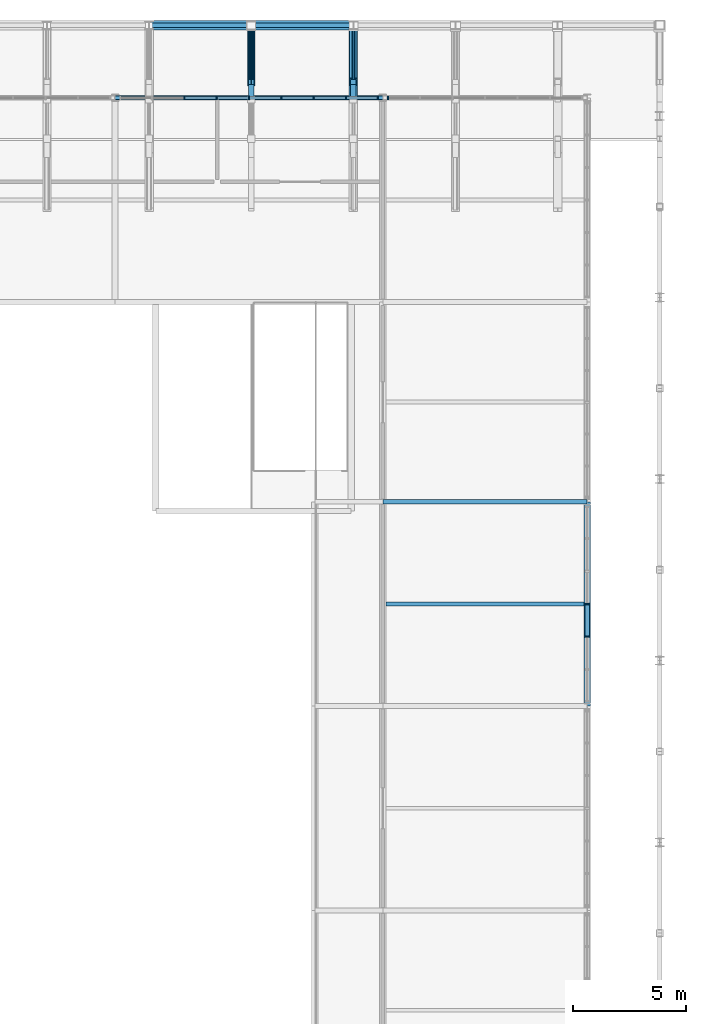
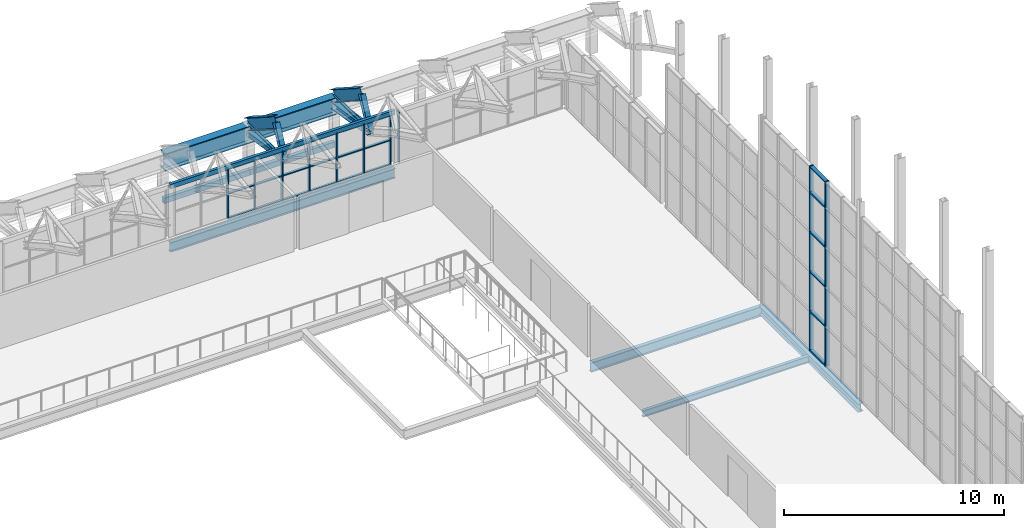
# One storey, part 86 of 134: 40 members, 11 beams, 3 elements without a shape of their own.
"""IFC4 building model written with IfcOpenShell, lengths in metres."""

from ifc_helpers import new_model, si_unit, direction, frame, origin, origin_2d, place, context, subcontext, project, spatial, rectangle, hollow_rectangle, hollow_circle, i_section, extrude, material, layer, layer_set, material_profile, profile_set, type_object, element, aggregate, save


model = new_model("IFC4")

# Units and contexts
model_context = context("Model", 3, precision=1e-05, world=origin(), true_north=direction((0.0, 1.0)))
body_context = subcontext(model_context, "Body", "Model", "MODEL_VIEW")
ifc_project = project(units=[si_unit("LENGTHUNIT", "METRE"), si_unit("AREAUNIT", "SQUARE_METRE"), si_unit("VOLUMEUNIT", "CUBIC_METRE"), si_unit("PLANEANGLEUNIT", "RADIAN"), si_unit("MASSUNIT", "GRAM", prefix="KILO")], contexts=[model_context])

# Site, building, storey
site_placement = place(None, origin())
site = spatial("IfcSite", under=ifc_project, at=site_placement, CompositionType="ELEMENT")
building_placement = place(site_placement, origin())
building = spatial("IfcBuilding", under=site, at=building_placement, Name="Cazmaro Siding Exhibition Halls", CompositionType="ELEMENT")
storey_placement = place(building_placement, frame((0.0, 0.0, 12.0)))
storey = spatial("IfcBuildingStorey", under=building, at=storey_placement, Name="L02", CompositionType="ELEMENT", Elevation=12.0)

# Beams
ifc_material_1 = material(Name="Steel ASTM A992 Grade 50", Category="steel")
ifc_material_profile_1 = material_profile(ifc_material_1, i_section(OverallWidth=0.327880859375, OverallDepth=0.626953125, WebThickness=0.01708984375, FlangeThickness=0.028076171875, at=origin_2d()), Name="W24X146")
ifc_profile_set_1 = profile_set([ifc_material_profile_1], Name="Steel ASTM A992 Grade 50")
beam_type_1 = type_object("IfcBeamType", Name="AR-01", PredefinedType="USERDEFINED", material=ifc_profile_set_1)
beam_1_placement = place(storey_placement, frame((153.0, 121.5, 3.89306640625), z_axis=(0.0, 0.843339173298, -0.537381650954), x_axis=(-1.0, 0.0, 0.0)))
element("IfcBeam", 1, at=beam_1_placement, inside=storey, type_object=beam_type_1, Name="Space frame barrel vault arched rib AR-01 BM-1134", ObjectType="ARCHED RIB", PredefinedType="USERDEFINED", context=body_context, shape_type="SweptSolid", body=[
    extrude(i_section(OverallWidth=0.327880859375, OverallDepth=0.626953125, WebThickness=0.01708984375, FlangeThickness=0.028076171875, at=origin_2d()), origin(), (0.0, 0.0, 1.0), 2.96435546875),
])
ifc_material_2 = material(Name="Steel ASTM A992 Grade 50", Category="steel")
ifc_material_profile_2 = material_profile(ifc_material_2, i_section(OverallWidth=0.324951171875, OverallDepth=0.612060546875, WebThickness=0.012939453125, FlangeThickness=0.01904296875, at=origin_2d()), Name="W24X104")
ifc_profile_set_2 = profile_set([ifc_material_profile_2], Name="Steel ASTM A992 Grade 50")
beam_type_2 = type_object("IfcBeamType", Name="AR-02", PredefinedType="USERDEFINED", material=ifc_profile_set_2)
beam_2_placement = place(storey_placement, frame((157.5, 121.5, 3.89306640625), z_axis=(0.0, 0.843339173298, -0.537381650954), x_axis=(-1.0, 0.0, 0.0)))
element("IfcBeam", 2, at=beam_2_placement, inside=storey, type_object=beam_type_2, Name="Space frame barrel vault arched rib AR-02 BM-1158", ObjectType="ARCHED RIB", PredefinedType="USERDEFINED", context=body_context, shape_type="SweptSolid", body=[
    extrude(i_section(OverallWidth=0.324951171875, OverallDepth=0.612060546875, WebThickness=0.012939453125, FlangeThickness=0.01904296875, at=origin_2d()), origin(), (0.0, 0.0, 1.0), 2.96435546875),
])
ifc_material_3 = material(Name="Steel ASTM A992 Grade 50", Category="steel")
ifc_material_profile_3 = material_profile(ifc_material_3, i_section(OverallWidth=0.2099609375, OverallDepth=0.535888671875, WebThickness=0.010986328125, FlangeThickness=0.01708984375, at=origin_2d()), Name="W21X68")
ifc_profile_set_3 = profile_set([ifc_material_profile_3], Name="Steel ASTM A992 Grade 50")
beam_type_3 = type_object("IfcBeamType", Name="B-02", PredefinedType="BEAM", material=ifc_profile_set_3)
beam_3_placement = place(storey_placement, frame((147.0, 120.800048828125, -0.488037109375), z_axis=(1.0, 0.0, 0.0), x_axis=(0.0, 1.0, 0.0)))
element("IfcBeam", 3, at=beam_3_placement, inside=storey, type_object=beam_type_3, Name="Beam B-02 BM-0432", PredefinedType="BEAM", context=body_context, shape_type="SweptSolid", body=[
    extrude(i_section(OverallWidth=0.2099609375, OverallDepth=0.535888671875, WebThickness=0.010986328125, FlangeThickness=0.01708984375, at=origin_2d()), origin(), (0.0, 0.0, 1.0), 11.800048828125),
])
beam_4_placement = place(storey_placement, frame((158.800048828125, 103.0, -0.488037109375), z_axis=(1.0, 0.0, 0.0), x_axis=(0.0, 1.0, 0.0)))
element("IfcBeam", 4, at=beam_4_placement, inside=storey, type_object=beam_type_3, Name="Beam B-02 BM-0522", PredefinedType="BEAM", context=body_context, shape_type="SweptSolid", body=[
    extrude(i_section(OverallWidth=0.2099609375, OverallDepth=0.535888671875, WebThickness=0.010986328125, FlangeThickness=0.01708984375, at=origin_2d()), origin(), (0.0, 0.0, 1.0), 9.0),
])
ifc_material_4 = material(Name="Steel ASTM A992 Grade 50", Category="steel")
ifc_material_profile_4 = material_profile(ifc_material_4, i_section(OverallWidth=0.279052734375, OverallDepth=0.4619140625, WebThickness=0.010986328125, FlangeThickness=0.01708984375, at=origin_2d()), Name="W18X76")
ifc_profile_set_4 = profile_set([ifc_material_profile_4], Name="Steel ASTM A992 Grade 50")
beam_type_4 = type_object("IfcBeamType", Name="B-03", PredefinedType="BEAM", material=ifc_profile_set_4)
beam_5_placement = place(storey_placement, frame((167.800048828125, 94.0, -0.450927734375), z_axis=(0.0, 1.0, 0.0), x_axis=(-1.0, 0.0, 0.0)))
element("IfcBeam", 5, at=beam_5_placement, inside=storey, type_object=beam_type_4, Name="Beam B-03 BM-0527", PredefinedType="BEAM", context=body_context, shape_type="SweptSolid", body=[
    extrude(i_section(OverallWidth=0.279052734375, OverallDepth=0.4619140625, WebThickness=0.010986328125, FlangeThickness=0.01708984375, at=origin_2d()), origin(), (0.0, 0.0, 1.0), 9.0),
])

# Curtain wall, members
ifc_material_5 = material(Name="Anodized Bronze Aluminum and Solar-Control Low-E Glazing", Category="aluminium")
ifc_layer_1 = layer(ifc_material_5, 0.219970703125)
ifc_layer_set_1 = layer_set([ifc_layer_1], Name="Anodized Bronze Aluminum and Solar-Control Low-E Glazing")
curtain_wall_type_1 = type_object("IfcCurtainWallType", Name="CWS-03", PredefinedType="USERDEFINED", material=ifc_layer_set_1)
curtain_wall_1_placement = place(storey_placement, origin())
curtain_wall_1 = element("IfcCurtainWall", 6, at=curtain_wall_1_placement, inside=storey, type_object=curtain_wall_type_1, Name="Glazed Curtain Wall CWS-03 CW-073", ObjectType="GLAZED CURTAIN WALL", PredefinedType="USERDEFINED")
ifc_material_6 = material(Name="Anodized Bronze Extruded Aluminum", Category="aluminium")
ifc_material_profile_5 = material_profile(ifc_material_6, rectangle(XDim=0.219970703125, YDim=0.070068359375, at=origin_2d()), Name="CWM-03")
ifc_profile_set_5 = profile_set([ifc_material_profile_5], Name="Anodized Bronze Extruded Aluminum")
member_type_1 = type_object("IfcMemberType", Name="CWM-03", PredefinedType="MULLION", material=ifc_profile_set_5)
member_1_placement = place(storey_placement, frame((167.800048828125, 97.05908203125, 0.0), z_axis=(0.0, 0.0, 1.0), x_axis=(-1.0, 0.0, 0.0)))
member_1 = element("IfcMember", 7, at=member_1_placement, type_object=member_type_1, Name="CWS-03 mullion 3", PredefinedType="MULLION", context=body_context, shape_type="SweptSolid", body=[
    extrude(rectangle(XDim=0.219970703125, YDim=0.070068359375, at=origin_2d()), origin(), (0.0, 0.0, 1.0), 10.258056640625),
])
member_2_placement = place(storey_placement, frame((167.800048828125, 98.5, 0.0), z_axis=(0.0, 0.0, 1.0), x_axis=(-1.0, 0.0, 0.0)))
member_2 = element("IfcMember", 8, at=member_2_placement, type_object=member_type_1, Name="CWS-03 mullion 4", PredefinedType="MULLION", context=body_context, shape_type="SweptSolid", body=[
    extrude(rectangle(XDim=0.219970703125, YDim=0.070068359375, at=origin_2d()), origin(), (0.0, 0.0, 1.0), 10.258056640625),
])

ifc_material_7 = material(Name="Anodized Bronze Aluminum and Solar-Control Low-E Glazing", Category="aluminium")
ifc_layer_2 = layer(ifc_material_7, 0.159912109375)
ifc_layer_set_2 = layer_set([ifc_layer_2], Name="Anodized Bronze Aluminum and Solar-Control Low-E Glazing")
curtain_wall_type_2 = type_object("IfcCurtainWallType", Name="CWS-04", PredefinedType="USERDEFINED", material=ifc_layer_set_2)
curtain_wall_2_placement = place(storey_placement, origin())
curtain_wall_2 = element("IfcCurtainWall", 9, at=curtain_wall_2_placement, inside=storey, type_object=curtain_wall_type_2, Name="Clerestory Curtain Wall CWS-04 CW-047", ObjectType="CLERESTORY CURTAIN WALL", PredefinedType="USERDEFINED")
ifc_material_8 = material(Name="Anodized Bronze Extruded Aluminum", Category="aluminium")
ifc_material_profile_6 = material_profile(ifc_material_8, rectangle(XDim=0.159912109375, YDim=0.06005859375, at=origin_2d()), Name="CWM-04")
ifc_profile_set_6 = profile_set([ifc_material_profile_6], Name="Anodized Bronze Extruded Aluminum")
member_type_2 = type_object("IfcMemberType", Name="CWM-04", PredefinedType="MULLION", material=ifc_profile_set_6)
member_3_placement = place(storey_placement, frame((158.572998046875, 120.800048828125, 0.0), z_axis=(0.0, 0.0, 1.0), x_axis=(0.0, -1.0, 0.0)))
member_3 = element("IfcMember", 10, at=member_3_placement, type_object=member_type_2, Name="CWS-04 mullion 1", PredefinedType="MULLION", context=body_context, shape_type="SweptSolid", body=[
    extrude(rectangle(XDim=0.159912109375, YDim=0.06005859375, at=origin_2d()), origin(), (0.0, 0.0, 1.0), 2.800048828125),
])
member_4_placement = place(storey_placement, frame((157.17724609375, 120.800048828125, 0.0), z_axis=(0.0, 0.0, 1.0), x_axis=(0.0, -1.0, 0.0)))
member_4 = element("IfcMember", 11, at=member_4_placement, type_object=member_type_2, Name="CWS-04 mullion 2", PredefinedType="MULLION", context=body_context, shape_type="SweptSolid", body=[
    extrude(rectangle(XDim=0.159912109375, YDim=0.06005859375, at=origin_2d()), origin(), (0.0, 0.0, 1.0), 2.800048828125),
])
member_5_placement = place(storey_placement, frame((155.75146484375, 120.800048828125, 0.0), z_axis=(0.0, 0.0, 1.0), x_axis=(0.0, -1.0, 0.0)))
member_5 = element("IfcMember", 12, at=member_5_placement, type_object=member_type_2, Name="CWS-04 mullion 3", PredefinedType="MULLION", context=body_context, shape_type="SweptSolid", body=[
    extrude(rectangle(XDim=0.159912109375, YDim=0.06005859375, at=origin_2d()), origin(), (0.0, 0.0, 1.0), 2.800048828125),
])
member_6_placement = place(storey_placement, frame((154.32568359375, 120.800048828125, 0.0), z_axis=(0.0, 0.0, 1.0), x_axis=(0.0, -1.0, 0.0)))
member_6 = element("IfcMember", 13, at=member_6_placement, type_object=member_type_2, Name="CWS-04 mullion 4", PredefinedType="MULLION", context=body_context, shape_type="SweptSolid", body=[
    extrude(rectangle(XDim=0.159912109375, YDim=0.06005859375, at=origin_2d()), origin(), (0.0, 0.0, 1.0), 2.800048828125),
])
member_7_placement = place(storey_placement, frame((152.89990234375, 120.800048828125, 0.0), z_axis=(0.0, 0.0, 1.0), x_axis=(0.0, -1.0, 0.0)))
member_7 = element("IfcMember", 14, at=member_7_placement, type_object=member_type_2, Name="CWS-04 mullion 5", PredefinedType="MULLION", context=body_context, shape_type="SweptSolid", body=[
    extrude(rectangle(XDim=0.159912109375, YDim=0.06005859375, at=origin_2d()), origin(), (0.0, 0.0, 1.0), 2.800048828125),
])
member_8_placement = place(storey_placement, frame((151.474365234375, 120.800048828125, 0.0), z_axis=(0.0, 0.0, 1.0), x_axis=(0.0, -1.0, 0.0)))
member_8 = element("IfcMember", 15, at=member_8_placement, type_object=member_type_2, Name="CWS-04 mullion 6", PredefinedType="MULLION", context=body_context, shape_type="SweptSolid", body=[
    extrude(rectangle(XDim=0.159912109375, YDim=0.06005859375, at=origin_2d()), origin(), (0.0, 0.0, 1.0), 2.800048828125),
])
member_9_placement = place(storey_placement, frame((150.048583984375, 120.800048828125, 0.0), z_axis=(0.0, 0.0, 1.0), x_axis=(0.0, -1.0, 0.0)))
member_9 = element("IfcMember", 16, at=member_9_placement, type_object=member_type_2, Name="CWS-04 mullion 7", PredefinedType="MULLION", context=body_context, shape_type="SweptSolid", body=[
    extrude(rectangle(XDim=0.159912109375, YDim=0.06005859375, at=origin_2d()), origin(), (0.0, 0.0, 1.0), 2.800048828125),
])

# Curtain wall, member
curtain_wall_3_placement = place(storey_placement, origin())
curtain_wall_3 = element("IfcCurtainWall", 17, at=curtain_wall_3_placement, inside=storey, type_object=curtain_wall_type_2, Name="Clerestory Curtain Wall CWS-04 CW-049", ObjectType="CLERESTORY CURTAIN WALL", PredefinedType="USERDEFINED")
member_10_placement = place(storey_placement, frame((159.027099609375, 120.800048828125, 0.0), z_axis=(0.0, 0.0, 1.0), x_axis=(0.0, -1.0, 0.0)))
member_10 = element("IfcMember", 18, at=member_10_placement, type_object=member_type_2, Name="CWS-04 mullion 7", PredefinedType="MULLION", context=body_context, shape_type="SweptSolid", body=[
    extrude(rectangle(XDim=0.159912109375, YDim=0.06005859375, at=origin_2d()), origin(), (0.0, 0.0, 1.0), 2.800048828125),
])
aggregate(curtain_wall_3, [member_10])

# Member
ifc_material_9 = material(Name="Anodized Bronze Extruded Aluminum", Category="aluminium")
ifc_material_profile_7 = material_profile(ifc_material_9, rectangle(XDim=0.199951171875, YDim=0.070068359375, at=origin_2d()), Name="CWT-03")
ifc_profile_set_7 = profile_set([ifc_material_profile_7], Name="Anodized Bronze Extruded Aluminum")
member_type_3 = type_object("IfcMemberType", Name="CWT-03", PredefinedType="MULLION", material=ifc_profile_set_7)
member_11_placement = place(storey_placement, frame((167.800048828125, 97.093994140625, 0.034912109375), z_axis=(0.0, 1.0, 0.0), x_axis=(-1.0, 0.0, 0.0)))
member_11 = element("IfcMember", 19, at=member_11_placement, type_object=member_type_3, Name="CWS-03 transom 3.1", ObjectType="TRANSOM", PredefinedType="USERDEFINED", context=body_context, shape_type="SweptSolid", body=[
    extrude(rectangle(XDim=0.199951171875, YDim=0.070068359375, at=origin_2d()), origin(), (0.0, 0.0, 1.0), 1.37109375),
])

member_12_placement = place(storey_placement, frame((167.800048828125, 97.093994140625, 2.199951171875), z_axis=(0.0, 1.0, 0.0), x_axis=(-1.0, 0.0, 0.0)))
member_12 = element("IfcMember", 20, at=member_12_placement, type_object=member_type_3, Name="CWS-03 transom 3.2", ObjectType="TRANSOM", PredefinedType="USERDEFINED", context=body_context, shape_type="SweptSolid", body=[
    extrude(rectangle(XDim=0.199951171875, YDim=0.070068359375, at=origin_2d()), origin(), (0.0, 0.0, 1.0), 1.37109375),
])

member_13_placement = place(storey_placement, frame((167.800048828125, 97.093994140625, 4.39990234375), z_axis=(0.0, 1.0, 0.0), x_axis=(-1.0, 0.0, 0.0)))
member_13 = element("IfcMember", 21, at=member_13_placement, type_object=member_type_3, Name="CWS-03 transom 3.3", ObjectType="TRANSOM", PredefinedType="USERDEFINED", context=body_context, shape_type="SweptSolid", body=[
    extrude(rectangle(XDim=0.199951171875, YDim=0.070068359375, at=origin_2d()), origin(), (0.0, 0.0, 1.0), 1.37109375),
])

member_14_placement = place(storey_placement, frame((167.800048828125, 97.093994140625, 6.60009765625), z_axis=(0.0, 1.0, 0.0), x_axis=(-1.0, 0.0, 0.0)))
member_14 = element("IfcMember", 22, at=member_14_placement, type_object=member_type_3, Name="CWS-03 transom 3.4", ObjectType="TRANSOM", PredefinedType="USERDEFINED", context=body_context, shape_type="SweptSolid", body=[
    extrude(rectangle(XDim=0.199951171875, YDim=0.070068359375, at=origin_2d()), origin(), (0.0, 0.0, 1.0), 1.37109375),
])

member_15_placement = place(storey_placement, frame((167.800048828125, 97.093994140625, 8.800048828125), z_axis=(0.0, 1.0, 0.0), x_axis=(-1.0, 0.0, 0.0)))
member_15 = element("IfcMember", 23, at=member_15_placement, type_object=member_type_3, Name="CWS-03 transom 3.5", ObjectType="TRANSOM", PredefinedType="USERDEFINED", context=body_context, shape_type="SweptSolid", body=[
    extrude(rectangle(XDim=0.199951171875, YDim=0.070068359375, at=origin_2d()), origin(), (0.0, 0.0, 1.0), 1.37109375),
])

member_16_placement = place(storey_placement, frame((167.800048828125, 97.093994140625, 10.222900390625), z_axis=(0.0, 1.0, 0.0), x_axis=(-1.0, 0.0, 0.0)))
member_16 = element("IfcMember", 24, at=member_16_placement, type_object=member_type_3, Name="CWS-03 transom 3.6", ObjectType="TRANSOM", PredefinedType="USERDEFINED", context=body_context, shape_type="SweptSolid", body=[
    extrude(rectangle(XDim=0.199951171875, YDim=0.070068359375, at=origin_2d()), origin(), (0.0, 0.0, 1.0), 1.37109375),
])

aggregate(curtain_wall_1, [member_1, member_2, member_11, member_12, member_13, member_14, member_15, member_16])

ifc_material_10 = material(Name="Anodized Bronze Extruded Aluminum", Category="aluminium")
ifc_material_profile_8 = material_profile(ifc_material_10, rectangle(XDim=0.139892578125, YDim=0.06005859375, at=origin_2d()), Name="CWT-04")
ifc_profile_set_8 = profile_set([ifc_material_profile_8], Name="Anodized Bronze Extruded Aluminum")
member_type_4 = type_object("IfcMemberType", Name="CWT-04", PredefinedType="MULLION", material=ifc_profile_set_8)
member_17_placement = place(storey_placement, frame((158.54296875, 120.800048828125, 0.030029296875), z_axis=(-1.0, 0.0, 0.0), x_axis=(0.0, -1.0, 0.0)))
member_17 = element("IfcMember", 25, at=member_17_placement, type_object=member_type_4, Name="CWS-04 transom 1.1", ObjectType="TRANSOM", PredefinedType="USERDEFINED", context=body_context, shape_type="SweptSolid", body=[
    extrude(rectangle(XDim=0.139892578125, YDim=0.06005859375, at=origin_2d()), origin(), (0.0, 0.0, 1.0), 1.335693359375),
])

member_18_placement = place(storey_placement, frame((158.54296875, 120.800048828125, 1.39990234375), z_axis=(-1.0, 0.0, 0.0), x_axis=(0.0, -1.0, 0.0)))
member_18 = element("IfcMember", 26, at=member_18_placement, type_object=member_type_4, Name="CWS-04 transom 1.2", ObjectType="TRANSOM", PredefinedType="USERDEFINED", context=body_context, shape_type="SweptSolid", body=[
    extrude(rectangle(XDim=0.139892578125, YDim=0.06005859375, at=origin_2d()), origin(), (0.0, 0.0, 1.0), 1.335693359375),
])

member_19_placement = place(storey_placement, frame((158.54296875, 120.800048828125, 2.77001953125), z_axis=(-1.0, 0.0, 0.0), x_axis=(0.0, -1.0, 0.0)))
member_19 = element("IfcMember", 27, at=member_19_placement, type_object=member_type_4, Name="CWS-04 transom 1.3", ObjectType="TRANSOM", PredefinedType="USERDEFINED", context=body_context, shape_type="SweptSolid", body=[
    extrude(rectangle(XDim=0.139892578125, YDim=0.06005859375, at=origin_2d()), origin(), (0.0, 0.0, 1.0), 1.335693359375),
])

member_20_placement = place(storey_placement, frame((157.147216796875, 120.800048828125, 0.030029296875), z_axis=(-1.0, 0.0, 0.0), x_axis=(0.0, -1.0, 0.0)))
member_20 = element("IfcMember", 28, at=member_20_placement, type_object=member_type_4, Name="CWS-04 transom 2.1", ObjectType="TRANSOM", PredefinedType="USERDEFINED", context=body_context, shape_type="SweptSolid", body=[
    extrude(rectangle(XDim=0.139892578125, YDim=0.06005859375, at=origin_2d()), origin(), (0.0, 0.0, 1.0), 1.36572265625),
])

member_21_placement = place(storey_placement, frame((157.147216796875, 120.800048828125, 1.39990234375), z_axis=(-1.0, 0.0, 0.0), x_axis=(0.0, -1.0, 0.0)))
member_21 = element("IfcMember", 29, at=member_21_placement, type_object=member_type_4, Name="CWS-04 transom 2.2", ObjectType="TRANSOM", PredefinedType="USERDEFINED", context=body_context, shape_type="SweptSolid", body=[
    extrude(rectangle(XDim=0.139892578125, YDim=0.06005859375, at=origin_2d()), origin(), (0.0, 0.0, 1.0), 1.36572265625),
])

member_22_placement = place(storey_placement, frame((157.147216796875, 120.800048828125, 2.77001953125), z_axis=(-1.0, 0.0, 0.0), x_axis=(0.0, -1.0, 0.0)))
member_22 = element("IfcMember", 30, at=member_22_placement, type_object=member_type_4, Name="CWS-04 transom 2.3", ObjectType="TRANSOM", PredefinedType="USERDEFINED", context=body_context, shape_type="SweptSolid", body=[
    extrude(rectangle(XDim=0.139892578125, YDim=0.06005859375, at=origin_2d()), origin(), (0.0, 0.0, 1.0), 1.36572265625),
])

member_23_placement = place(storey_placement, frame((155.721435546875, 120.800048828125, 0.030029296875), z_axis=(-1.0, 0.0, 0.0), x_axis=(0.0, -1.0, 0.0)))
member_23 = element("IfcMember", 31, at=member_23_placement, type_object=member_type_4, Name="CWS-04 transom 3.1", ObjectType="TRANSOM", PredefinedType="USERDEFINED", context=body_context, shape_type="SweptSolid", body=[
    extrude(rectangle(XDim=0.139892578125, YDim=0.06005859375, at=origin_2d()), origin(), (0.0, 0.0, 1.0), 1.36572265625),
])

member_24_placement = place(storey_placement, frame((155.721435546875, 120.800048828125, 1.39990234375), z_axis=(-1.0, 0.0, 0.0), x_axis=(0.0, -1.0, 0.0)))
member_24 = element("IfcMember", 32, at=member_24_placement, type_object=member_type_4, Name="CWS-04 transom 3.2", ObjectType="TRANSOM", PredefinedType="USERDEFINED", context=body_context, shape_type="SweptSolid", body=[
    extrude(rectangle(XDim=0.139892578125, YDim=0.06005859375, at=origin_2d()), origin(), (0.0, 0.0, 1.0), 1.36572265625),
])

member_25_placement = place(storey_placement, frame((155.721435546875, 120.800048828125, 2.77001953125), z_axis=(-1.0, 0.0, 0.0), x_axis=(0.0, -1.0, 0.0)))
member_25 = element("IfcMember", 33, at=member_25_placement, type_object=member_type_4, Name="CWS-04 transom 3.3", ObjectType="TRANSOM", PredefinedType="USERDEFINED", context=body_context, shape_type="SweptSolid", body=[
    extrude(rectangle(XDim=0.139892578125, YDim=0.06005859375, at=origin_2d()), origin(), (0.0, 0.0, 1.0), 1.36572265625),
])

member_26_placement = place(storey_placement, frame((154.295654296875, 120.800048828125, 0.030029296875), z_axis=(-1.0, 0.0, 0.0), x_axis=(0.0, -1.0, 0.0)))
member_26 = element("IfcMember", 34, at=member_26_placement, type_object=member_type_4, Name="CWS-04 transom 4.1", ObjectType="TRANSOM", PredefinedType="USERDEFINED", context=body_context, shape_type="SweptSolid", body=[
    extrude(rectangle(XDim=0.139892578125, YDim=0.06005859375, at=origin_2d()), origin(), (0.0, 0.0, 1.0), 1.36572265625),
])

member_27_placement = place(storey_placement, frame((154.295654296875, 120.800048828125, 1.39990234375), z_axis=(-1.0, 0.0, 0.0), x_axis=(0.0, -1.0, 0.0)))
member_27 = element("IfcMember", 35, at=member_27_placement, type_object=member_type_4, Name="CWS-04 transom 4.2", ObjectType="TRANSOM", PredefinedType="USERDEFINED", context=body_context, shape_type="SweptSolid", body=[
    extrude(rectangle(XDim=0.139892578125, YDim=0.06005859375, at=origin_2d()), origin(), (0.0, 0.0, 1.0), 1.36572265625),
])

member_28_placement = place(storey_placement, frame((154.295654296875, 120.800048828125, 2.77001953125), z_axis=(-1.0, 0.0, 0.0), x_axis=(0.0, -1.0, 0.0)))
member_28 = element("IfcMember", 36, at=member_28_placement, type_object=member_type_4, Name="CWS-04 transom 4.3", ObjectType="TRANSOM", PredefinedType="USERDEFINED", context=body_context, shape_type="SweptSolid", body=[
    extrude(rectangle(XDim=0.139892578125, YDim=0.06005859375, at=origin_2d()), origin(), (0.0, 0.0, 1.0), 1.36572265625),
])

member_29_placement = place(storey_placement, frame((152.8701171875, 120.800048828125, 0.030029296875), z_axis=(-1.0, 0.0, 0.0), x_axis=(0.0, -1.0, 0.0)))
member_29 = element("IfcMember", 37, at=member_29_placement, type_object=member_type_4, Name="CWS-04 transom 5.1", ObjectType="TRANSOM", PredefinedType="USERDEFINED", context=body_context, shape_type="SweptSolid", body=[
    extrude(rectangle(XDim=0.139892578125, YDim=0.06005859375, at=origin_2d()), origin(), (0.0, 0.0, 1.0), 1.365966796875),
])

member_30_placement = place(storey_placement, frame((152.8701171875, 120.800048828125, 1.39990234375), z_axis=(-1.0, 0.0, 0.0), x_axis=(0.0, -1.0, 0.0)))
member_30 = element("IfcMember", 38, at=member_30_placement, type_object=member_type_4, Name="CWS-04 transom 5.2", ObjectType="TRANSOM", PredefinedType="USERDEFINED", context=body_context, shape_type="SweptSolid", body=[
    extrude(rectangle(XDim=0.139892578125, YDim=0.06005859375, at=origin_2d()), origin(), (0.0, 0.0, 1.0), 1.365966796875),
])

member_31_placement = place(storey_placement, frame((152.8701171875, 120.800048828125, 2.77001953125), z_axis=(-1.0, 0.0, 0.0), x_axis=(0.0, -1.0, 0.0)))
member_31 = element("IfcMember", 39, at=member_31_placement, type_object=member_type_4, Name="CWS-04 transom 5.3", ObjectType="TRANSOM", PredefinedType="USERDEFINED", context=body_context, shape_type="SweptSolid", body=[
    extrude(rectangle(XDim=0.139892578125, YDim=0.06005859375, at=origin_2d()), origin(), (0.0, 0.0, 1.0), 1.365966796875),
])

member_32_placement = place(storey_placement, frame((151.4443359375, 120.800048828125, 0.030029296875), z_axis=(-1.0, 0.0, 0.0), x_axis=(0.0, -1.0, 0.0)))
member_32 = element("IfcMember", 40, at=member_32_placement, type_object=member_type_4, Name="CWS-04 transom 6.1", ObjectType="TRANSOM", PredefinedType="USERDEFINED", context=body_context, shape_type="SweptSolid", body=[
    extrude(rectangle(XDim=0.139892578125, YDim=0.06005859375, at=origin_2d()), origin(), (0.0, 0.0, 1.0), 1.36572265625),
])

member_33_placement = place(storey_placement, frame((151.4443359375, 120.800048828125, 1.39990234375), z_axis=(-1.0, 0.0, 0.0), x_axis=(0.0, -1.0, 0.0)))
member_33 = element("IfcMember", 41, at=member_33_placement, type_object=member_type_4, Name="CWS-04 transom 6.2", ObjectType="TRANSOM", PredefinedType="USERDEFINED", context=body_context, shape_type="SweptSolid", body=[
    extrude(rectangle(XDim=0.139892578125, YDim=0.06005859375, at=origin_2d()), origin(), (0.0, 0.0, 1.0), 1.36572265625),
])

member_34_placement = place(storey_placement, frame((151.4443359375, 120.800048828125, 2.77001953125), z_axis=(-1.0, 0.0, 0.0), x_axis=(0.0, -1.0, 0.0)))
member_34 = element("IfcMember", 42, at=member_34_placement, type_object=member_type_4, Name="CWS-04 transom 6.3", ObjectType="TRANSOM", PredefinedType="USERDEFINED", context=body_context, shape_type="SweptSolid", body=[
    extrude(rectangle(XDim=0.139892578125, YDim=0.06005859375, at=origin_2d()), origin(), (0.0, 0.0, 1.0), 1.36572265625),
])

aggregate(curtain_wall_2, [member_3, member_4, member_5, member_6, member_7, member_8, member_9, member_17, member_18, member_19, member_20, member_21, member_22, member_23, member_24, member_25, member_26, member_27, member_28, member_29, member_30, member_31, member_32, member_33, member_34])

# Beams
ifc_material_11 = material(Name="Steel ASTM A992 Grade 50", Category="steel")
ifc_material_profile_9 = material_profile(ifc_material_11, i_section(OverallWidth=0.424072265625, OverallDepth=0.947021484375, WebThickness=0.02392578125, FlangeThickness=0.04296875, at=origin_2d()), Name="W36X302")
ifc_profile_set_9 = profile_set([ifc_material_profile_9], Name="Steel ASTM A992 Grade 50")
beam_type_5 = type_object("IfcBeamType", Name="G-01", PredefinedType="USERDEFINED", material=ifc_profile_set_9)
for number, where, z_axis, x_axis, name in (
    (43, (148.5, 124.0, 1.826904296875), (1.0, 0.0, 0.0), (0.0, 1.0, 0.0), "Beam G-01 BM-0204"),
    (44, (153.0, 124.0, 1.826904296875), (1.0, 0.0, 0.0), (0.0, 1.0, 0.0), "Beam G-01 BM-0210"),
):
    element("IfcBeam", number, at=place(storey_placement, frame(where, z_axis=z_axis, x_axis=x_axis)), inside=storey, type_object=beam_type_5, Name=name, ObjectType="GIRDER", PredefinedType="USERDEFINED", context=body_context, shape_type="SweptSolid", body=[
        extrude(i_section(OverallWidth=0.424072265625, OverallDepth=0.947021484375, WebThickness=0.02392578125, FlangeThickness=0.04296875, at=origin_2d()), origin(), (0.0, 0.0, 1.0), 4.5),
    ])
ifc_material_12 = material(Name="Steel ASTM A992 Grade 50", Category="steel")
ifc_material_profile_10 = material_profile(ifc_material_12, i_section(OverallWidth=0.1708984375, OverallDepth=0.35595703125, WebThickness=0.007080078125, FlangeThickness=0.011962890625, at=origin_2d()), Name="W14X34")
ifc_profile_set_10 = profile_set([ifc_material_profile_10], Name="Steel ASTM A992 Grade 50")
beam_type_6 = type_object("IfcBeamType", Name="J-04", PredefinedType="JOIST", material=ifc_profile_set_10)
beam_6_placement = place(storey_placement, frame((158.93994140625, 98.5, -0.39794921875), z_axis=(1.0, 0.0, 0.0), x_axis=(0.0, 1.0, 0.0)))
element("IfcBeam", 45, at=beam_6_placement, inside=storey, type_object=beam_type_6, Name="Beam J-04 BM-0528", PredefinedType="JOIST", context=body_context, shape_type="SweptSolid", body=[
    extrude(i_section(OverallWidth=0.1708984375, OverallDepth=0.35595703125, WebThickness=0.007080078125, FlangeThickness=0.011962890625, at=origin_2d()), origin(), (0.0, 0.0, 1.0), 8.719970703125),
])
ifc_material_13 = material(Name="Steel ASTM A500 Grade C", Category="steel")
ifc_material_profile_11 = material_profile(ifc_material_13, hollow_rectangle(XDim=0.202880859375, YDim=0.304931640625, WallThickness=0.011962890625, at=origin_2d()), Name="HSS12X8X1/2")
ifc_profile_set_11 = profile_set([ifc_material_profile_11], Name="Steel ASTM A500 Grade C")
beam_type_7 = type_object("IfcBeamType", Name="SP-01", PredefinedType="SPANDREL", material=ifc_profile_set_11)
for number, where, z_axis, x_axis, name in (
    (46, (148.5, 124.0, -0.373046875), (1.0, 0.0, 0.0), (0.0, 1.0, 0.0), "Beam SP-01 BM-0203"),
    (47, (153.0, 124.0, -0.373046875), (1.0, 0.0, 0.0), (0.0, 1.0, 0.0), "Beam SP-01 BM-0209"),
):
    element("IfcBeam", number, at=place(storey_placement, frame(where, z_axis=z_axis, x_axis=x_axis)), inside=storey, type_object=beam_type_7, Name=name, PredefinedType="SPANDREL", context=body_context, shape_type="SweptSolid", body=[
        extrude(hollow_rectangle(XDim=0.202880859375, YDim=0.304931640625, WallThickness=0.011962890625, at=origin_2d()), origin(), (0.0, 0.0, 1.0), 4.5),
    ])
ifc_material_14 = material(Name="Steel ASTM A500 Grade C", Category="steel")
ifc_material_profile_12 = material_profile(ifc_material_14, hollow_rectangle(XDim=0.152099609375, YDim=0.25390625, WallThickness=0.011962890625, at=origin_2d()), Name="HSS10X6X1/2")
ifc_profile_set_12 = profile_set([ifc_material_profile_12], Name="Steel ASTM A500 Grade C")
beam_type_8 = type_object("IfcBeamType", Name="SP-02", PredefinedType="SPANDREL", material=ifc_profile_set_12)
beam_7_placement = place(storey_placement, frame((147.0, 120.800048828125, 2.873046875), z_axis=(1.0, 0.0, 0.0), x_axis=(0.0, 1.0, 0.0)))
element("IfcBeam", 48, at=beam_7_placement, inside=storey, type_object=beam_type_8, Name="Beam SP-02 BM-0250", PredefinedType="SPANDREL", context=body_context, shape_type="SweptSolid", body=[
    extrude(hollow_rectangle(XDim=0.152099609375, YDim=0.25390625, WallThickness=0.011962890625, at=origin_2d()), origin(), (0.0, 0.0, 1.0), 11.800048828125),
])

# Members
ifc_material_15 = material(Name="Steel ASTM A500 Grade C", Category="steel")
ifc_material_profile_13 = material_profile(ifc_material_15, hollow_rectangle(XDim=0.25390625, YDim=0.25390625, WallThickness=0.014892578125, at=origin_2d()), Name="HSS10X10X5/8")
ifc_profile_set_13 = profile_set([ifc_material_profile_13], Name="Steel ASTM A500 Grade C")
member_type_5 = type_object("IfcMemberType", Name="TC-01", PredefinedType="CHORD", material=ifc_profile_set_13)
member_35_placement = place(storey_placement, frame((153.0, 120.72900390625, 2.305908203125), z_axis=(0.0, 0.988252010809, -0.152833121839), x_axis=(-1.0, 0.0, 0.0)))
element("IfcMember", 49, at=member_35_placement, inside=storey, type_object=member_type_5, Name="Space frame barrel vault bottom chord TC-01 MEM-1703", PredefinedType="CHORD", context=body_context, shape_type="SweptSolid", body=[
    extrude(hollow_rectangle(XDim=0.25390625, YDim=0.25390625, WallThickness=0.014892578125, at=origin_2d()), origin(), (0.0, 0.0, 1.0), 3.309814453125),
])
ifc_material_16 = material(Name="Steel ASTM A992 Grade 50", Category="steel")
ifc_material_profile_14 = material_profile(ifc_material_16, i_section(OverallWidth=0.37109375, OverallDepth=0.364013671875, WebThickness=0.012939453125, FlangeThickness=0.02197265625, at=origin_2d()), Name="W14X109")
ifc_profile_set_14 = profile_set([ifc_material_profile_14], Name="Steel ASTM A992 Grade 50")
member_type_6 = type_object("IfcMemberType", Name="TC-06", PredefinedType="CHORD", material=ifc_profile_set_14)
member_36_placement = place(storey_placement, frame((157.5, 120.72900390625, 2.305908203125), z_axis=(0.0, 0.988252010809, -0.152833121839), x_axis=(-1.0, 0.0, 0.0)))
element("IfcMember", 50, at=member_36_placement, inside=storey, type_object=member_type_6, Name="Space frame barrel vault bottom chord TC-06 MEM-1774", PredefinedType="CHORD", context=body_context, shape_type="SweptSolid", body=[
    extrude(i_section(OverallWidth=0.37109375, OverallDepth=0.364013671875, WebThickness=0.012939453125, FlangeThickness=0.02197265625, at=origin_2d()), origin(), (0.0, 0.0, 1.0), 3.309814453125),
])
ifc_material_17 = material(Name="Steel ASTM A992 Grade 50", Category="steel")
ifc_material_profile_15 = material_profile(ifc_material_17, i_section(OverallWidth=0.25390625, OverallDepth=0.25390625, WebThickness=0.009033203125, FlangeThickness=0.013916015625, at=origin_2d()), Name="W10X49")
ifc_profile_set_15 = profile_set([ifc_material_profile_15], Name="Steel ASTM A992 Grade 50")
member_type_7 = type_object("IfcMemberType", Name="TP-04", PredefinedType="POST", material=ifc_profile_set_15)
for number, where, z_axis, x_axis, name in (
    (51, (153.0, 120.72900390625, 2.305908203125), (0.0, 0.436945543824, 0.89948796086), (-1.0, 0.0, 0.0), "Space frame barrel vault post TP-04 MEM-1727"),
    (52, (157.5, 120.72900390625, 2.305908203125), (0.0, 0.436945543824, 0.89948796086), (-1.0, 0.0, 0.0), "Space frame barrel vault post TP-04 MEM-1798"),
):
    element("IfcMember", number, at=place(storey_placement, frame(where, z_axis=z_axis, x_axis=x_axis)), inside=storey, type_object=member_type_7, Name=name, PredefinedType="POST", context=body_context, shape_type="SweptSolid", body=[
        extrude(i_section(OverallWidth=0.25390625, OverallDepth=0.25390625, WebThickness=0.009033203125, FlangeThickness=0.013916015625, at=origin_2d()), origin(), (0.0, 0.0, 1.0), 1.764404296875),
    ])
ifc_material_18 = material(Name="Steel ASTM A500 Grade C", Category="steel")
ifc_material_profile_16 = material_profile(ifc_material_18, hollow_circle(Radius=0.070556640625, WallThickness=0.01904296875, at=origin_2d()), Name="PIPE5XXS")
ifc_profile_set_16 = profile_set([ifc_material_profile_16], Name="Steel ASTM A500 Grade C")
member_type_8 = type_object("IfcMemberType", Name="WB-07", PredefinedType="BRACE", material=ifc_profile_set_16)
for number, where, z_axis, x_axis, name in (
    (53, (153.0, 120.72900390625, 2.305908203125), (0.0, 0.999998395604, -0.001791309262), (-1.0, 0.0, 0.0), "Space frame barrel vault diagonal WB-07 MEM-1704"),
    (54, (157.5, 120.72900390625, 2.305908203125), (0.0, 0.999998395604, -0.001791309262), (-1.0, 0.0, 0.0), "Space frame barrel vault diagonal WB-07 MEM-1775"),
):
    element("IfcMember", number, at=place(storey_placement, frame(where, z_axis=z_axis, x_axis=x_axis)), inside=storey, type_object=member_type_8, Name=name, PredefinedType="BRACE", context=body_context, shape_type="SweptSolid", body=[
        extrude(hollow_circle(Radius=0.070556640625, WallThickness=0.01904296875, at=origin_2d()), origin(), (0.0, 0.0, 1.0), 3.27099609375),
    ])

save(model, "model.ifc")
